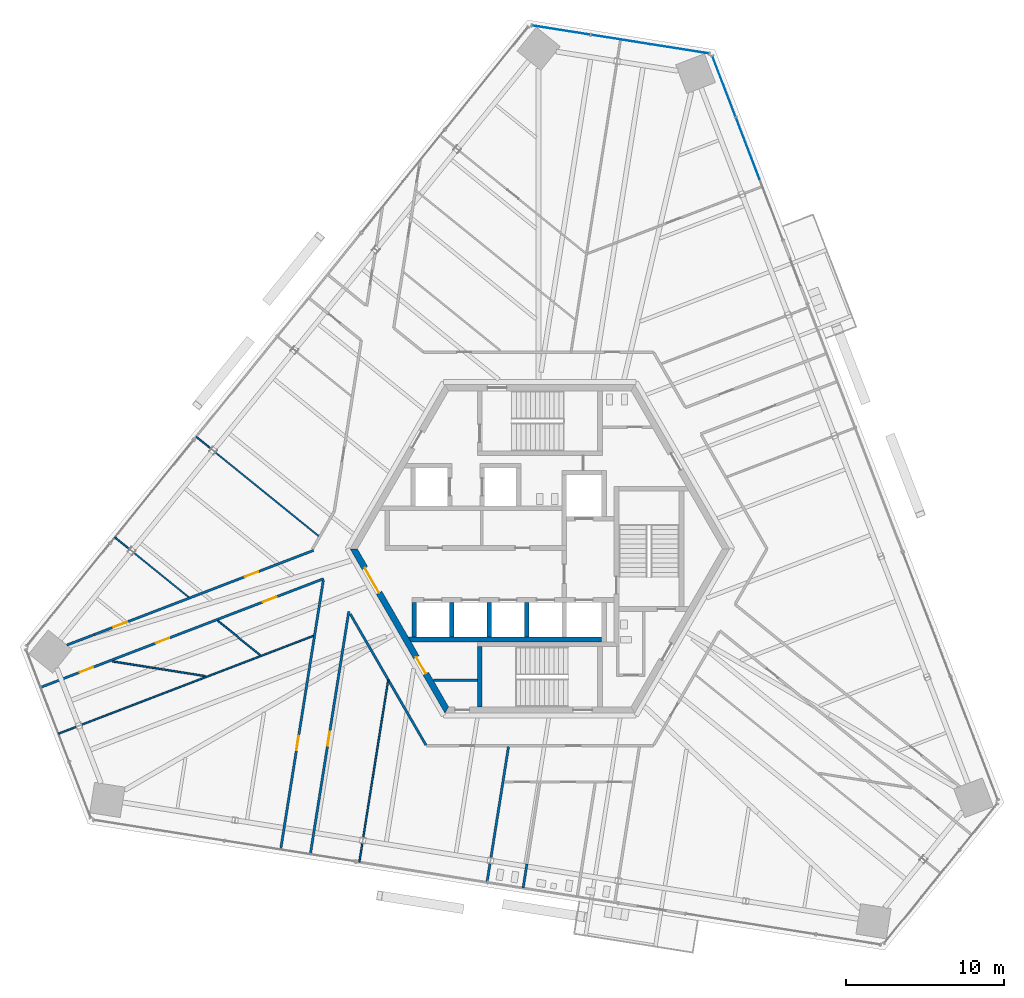
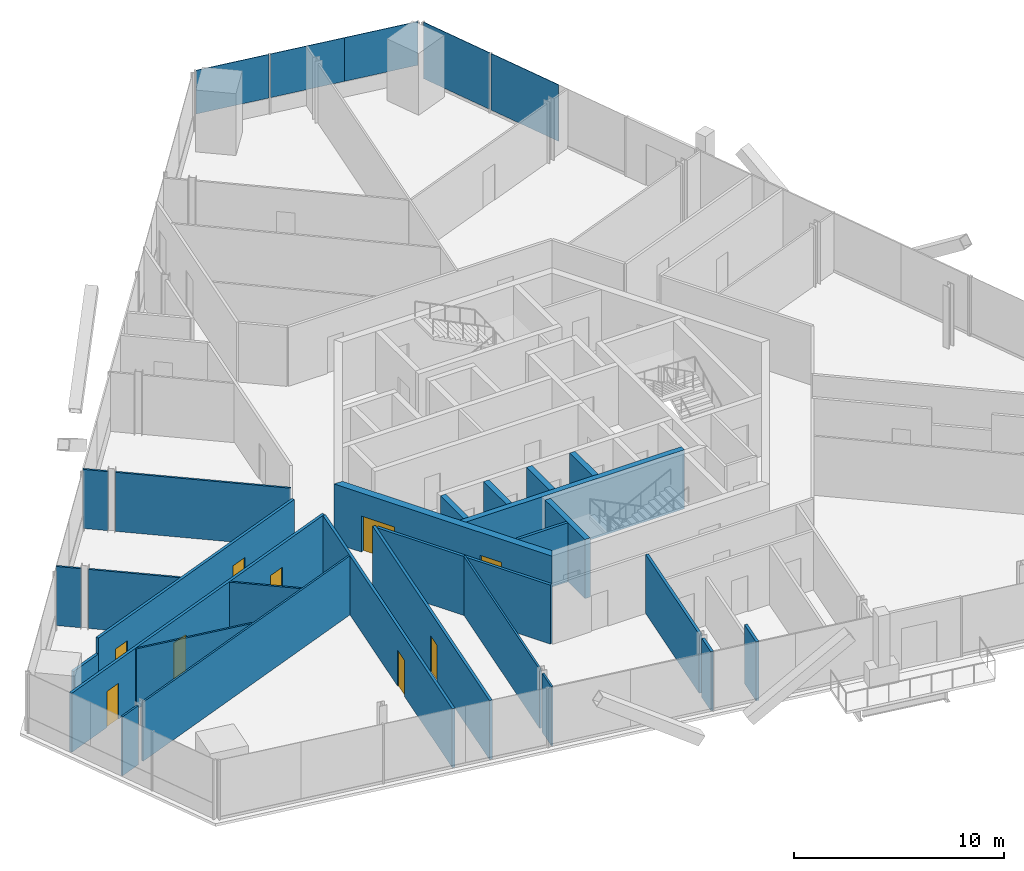
# One storey, part 10 of 18: 27 walls, 9 doors, 5 plates, 9 openings, 2 elements without a shape of their own.
"""IFC4 building model written with IfcOpenShell, lengths in metres."""

from ifc_helpers import new_model, si_unit, direction, frame, frame_2d, origin, origin_2d, place, context, subcontext, project, spatial, polyline, rectangle, outline, extrude, source, transform, mapped, material, layer, layer_set, type_object, element, fill, aggregate, save


model = new_model("IFC4")

# Units and contexts
model_context = context("Model", 3, precision=1e-05, world=origin(), true_north=direction((0.0, 1.0)))
body_context = subcontext(model_context, "Body", "Model", "MODEL_VIEW")
ifc_project = project(units=[si_unit("LENGTHUNIT", "METRE"), si_unit("AREAUNIT", "SQUARE_METRE"), si_unit("VOLUMEUNIT", "CUBIC_METRE"), si_unit("PLANEANGLEUNIT", "RADIAN"), si_unit("MASSUNIT", "GRAM", prefix="KILO")], contexts=[model_context])

# Site, building, storey
site_placement = place(None, origin())
site = spatial("IfcSite", under=ifc_project, at=site_placement, CompositionType="ELEMENT")
building_placement = place(site_placement, origin())
building = spatial("IfcBuilding", under=site, at=building_placement, Name="Triune Harvest Tower", CompositionType="ELEMENT")
storey_placement = place(building_placement, frame((0.0, 0.0, 156.89990234375)))
storey = spatial("IfcBuildingStorey", under=building, at=storey_placement, Name="L40", CompositionType="ELEMENT", Elevation=156.89990234375)

# Curtain wall, plates
ifc_material_1 = material(Name="Aluminium bronze anodised", Category="aluminium")
curtain_wall_type_1 = type_object("IfcCurtainWallType", Name="CW-1 Tower stick curtain wall", PredefinedType="NOTDEFINED", material=ifc_material_1)
curtain_wall_1_placement = place(storey_placement, origin())
curtain_wall_1 = element("IfcCurtainWall", 1, at=curtain_wall_1_placement, inside=storey, type_object=curtain_wall_type_1, Name="CW-1 B4-F2 L40 run 1")
ifc_material_2 = material(Name="Glass", Category="glass")
ifc_layer_1 = layer(ifc_material_2, 0.031982421875)
ifc_layer_set_1 = layer_set([ifc_layer_1], Name="Glass")
plate_type_1 = type_object("IfcPlateType", Name="GL-1 panel 32", PredefinedType="CURTAIN_PANEL", material=ifc_layer_set_1)
shared_shape_1 = source(origin(), body_context, "Body", "SweptSolid", [
    extrude(rectangle(XDim=3.74951171875, YDim=0.031982421875, at=origin_2d()), origin(), (0.0, 0.0, 1.0), 2.5400390625),
])
plate_1_placement = place(storey_placement, frame((8.841552734375, 31.614990234375, 0.900146484375), z_axis=(0.0, 0.0, 1.0), x_axis=(-0.987688615663, 0.156432728322, 0.0)))
plate_1 = element("IfcPlate", 2, at=plate_1_placement, type_object=plate_type_1, Name="CW-1 panel B4-F2 1.1", PredefinedType="CURTAIN_PANEL", context=body_context, shape_type="MappedRepresentation", body=[
    mapped(shared_shape_1, transform((0.0, 0.0, 0.0), scale=1.0)),
])
shared_shape_2 = source(origin(), body_context, "Body", "SweptSolid", [
    extrude(rectangle(XDim=3.787109375, YDim=0.031982421875, at=origin_2d()), origin(), (0.0, 0.0, 1.0), 2.5400390625),
])
plate_2_placement = place(storey_placement, frame((5.11962890625, 32.20458984375, 0.900146484375), z_axis=(0.0, 0.0, 1.0), x_axis=(-0.987688615663, 0.156432728322, 0.0)))
plate_2 = element("IfcPlate", 3, at=plate_2_placement, type_object=plate_type_1, Name="CW-1 panel B4-F2 1.2", PredefinedType="CURTAIN_PANEL", context=body_context, shape_type="MappedRepresentation", body=[
    mapped(shared_shape_2, transform((0.0, 0.0, 0.0), scale=1.0)),
])
shared_shape_3 = source(origin(), body_context, "Body", "SweptSolid", [
    extrude(rectangle(XDim=3.7119140625, YDim=0.031982421875, at=origin_2d()), origin(), (0.0, 0.0, 1.0), 2.5400390625),
])
plate_3_placement = place(storey_placement, frame((1.34228515625, 32.802734375, 0.900146484375), z_axis=(0.0, 0.0, 1.0), x_axis=(-0.987688615663, 0.156432728322, 0.0)))
plate_3 = element("IfcPlate", 4, at=plate_3_placement, type_object=plate_type_1, Name="CW-1 panel B4-F2 1.3", PredefinedType="CURTAIN_PANEL", context=body_context, shape_type="MappedRepresentation", body=[
    mapped(shared_shape_3, transform((0.0, 0.0, 0.0), scale=1.0)),
])
aggregate(curtain_wall_1, [plate_1, plate_2, plate_3])

ifc_material_3 = material(Name="Aluminium bronze anodised", Category="aluminium")
curtain_wall_type_2 = type_object("IfcCurtainWallType", Name="CW-6 Balcony window wall", PredefinedType="NOTDEFINED", material=ifc_material_3)
curtain_wall_2_placement = place(storey_placement, origin())
curtain_wall_2 = element("IfcCurtainWall", 5, at=curtain_wall_2_placement, inside=storey, type_object=curtain_wall_type_2, Name="CW-6 B4-F1 L40 run 2")
ifc_material_4 = material(Name="Glass", Category="glass")
ifc_layer_2 = layer(ifc_material_4, 0.030029296875)
ifc_layer_set_2 = layer_set([ifc_layer_2], Name="Glass")
plate_type_2 = type_object("IfcPlateType", Name="GL-6 panel 30", PredefinedType="CURTAIN_PANEL", material=ifc_layer_set_2)
shared_shape_4 = source(origin(), body_context, "Body", "SweptSolid", [
    extrude(rectangle(XDim=4.153564453125, YDim=0.030029296875, at=origin_2d()), origin(), (0.0, 0.0, 1.0), 3.2900390625),
])
plate_4_placement = place(storey_placement, frame((13.148193359375, 25.325439453125, 0.150146484375), z_axis=(0.0, 0.0, 1.0), x_axis=(-0.35836927228, 0.933579918746, 0.0)))
plate_4 = element("IfcPlate", 6, at=plate_4_placement, type_object=plate_type_2, Name="CW-6 panel B4-F1 2.2", PredefinedType="CURTAIN_PANEL", context=body_context, shape_type="MappedRepresentation", body=[
    mapped(shared_shape_4, transform((0.0, 0.0, 0.0), scale=1.0)),
])
shared_shape_5 = source(origin(), body_context, "Body", "SweptSolid", [
    extrude(rectangle(XDim=4.07861328125, YDim=0.030029296875, at=origin_2d()), origin(), (0.0, 0.0, 1.0), 3.2900390625),
])
plate_5_placement = place(storey_placement, frame((11.646240234375, 29.238037109375, 0.150146484375), z_axis=(0.0, 0.0, 1.0), x_axis=(-0.35836927228, 0.933579918746, 0.0)))
plate_5 = element("IfcPlate", 7, at=plate_5_placement, type_object=plate_type_2, Name="CW-6 panel B4-F1 2.3", PredefinedType="CURTAIN_PANEL", context=body_context, shape_type="MappedRepresentation", body=[
    mapped(shared_shape_5, transform((0.0, 0.0, 0.0), scale=1.0)),
])
aggregate(curtain_wall_2, [plate_4, plate_5])

# Wall
ifc_material_5 = material(Name="Gypsum board on steel studs", Category="steel")
ifc_layer_3 = layer(ifc_material_5, 0.14990234375)
ifc_layer_set_3 = layer_set([ifc_layer_3], Name="Gypsum board on steel studs")
wall_type_1 = type_object("IfcWallType", Name="Fire Partition 150 mm", PredefinedType="PARTITIONING", material=ifc_layer_set_3)
wall_1_placement = place(storey_placement, frame((-11.990966796875, -4.115966796875, 0.0), z_axis=(0.0, 0.0, 1.0), x_axis=(0.500008659558, -0.866020404129, 0.0)))
element("IfcWall", 8, at=wall_1_placement, inside=storey, type_object=wall_type_1, Name="Partition L40 001", PredefinedType="PARTITIONING", context=body_context, shape_type="SweptSolid", body=[
    extrude(rectangle(XDim=9.574462890625, YDim=0.14990234375, at=frame_2d((4.787109375, 0.0))), origin(), (0.0, 0.0, 1.0), 3.440185546875),
])

# Wall, openings, doors
wall_2_placement = place(storey_placement, frame((-31.5673828125, -8.757080078125, 0.0), z_axis=(0.0, 0.0, 1.0), x_axis=(0.933575909934, 0.358379715374, 0.0)))
wall_2 = element("IfcWall", 9, at=wall_2_placement, inside=storey, type_object=wall_type_1, Name="Partition L40 031", PredefinedType="PARTITIONING", context=body_context, shape_type="SweptSolid", body=[
    extrude(rectangle(XDim=19.163818359375, YDim=0.14990234375, at=frame_2d((9.58203125, 0.0))), origin(), (0.0, 0.0, 1.0), 3.440185546875),
])
opening_1_placement = place(wall_2_placement, frame((15.068115234375, 0.0, 0.0)))
opening_1 = element("IfcOpeningElement", 10, at=opening_1_placement, cuts=wall_2, Name="Opening L40-015", PredefinedType="OPENING", context=body_context, shape_type="SweptSolid", body=[
    extrude(rectangle(XDim=0.89990234375, YDim=2.10009765625, at=frame_2d((0.449951171875, 1.050048828125))), frame((0.0, 0.0849609375, 0.0), z_axis=(0.0, -1.0, 0.0), x_axis=(1.0, 0.0, 0.0)), (0.0, 0.0, 1.0), 0.169921875),
])
opening_2_placement = place(wall_2_placement, frame((7.80810546875, 0.0, 0.0)))
opening_2 = element("IfcOpeningElement", 11, at=opening_2_placement, cuts=wall_2, Name="Opening L40-017", PredefinedType="OPENING", context=body_context, shape_type="SweptSolid", body=[
    extrude(rectangle(XDim=0.89990234375, YDim=2.10009765625, at=frame_2d((0.449951171875, 1.050048828125))), frame((0.0, 0.0849609375, 0.0), z_axis=(0.0, -1.0, 0.0), x_axis=(1.0, 0.0, 0.0)), (0.0, 0.0, 1.0), 0.169921875),
])
opening_3_placement = place(wall_2_placement, frame((2.64990234375, 0.0, 0.0)))
opening_3 = element("IfcOpeningElement", 12, at=opening_3_placement, cuts=wall_2, Name="Opening L40-018", PredefinedType="OPENING", context=body_context, shape_type="SweptSolid", body=[
    extrude(rectangle(XDim=0.89990234375, YDim=2.10009765625, at=frame_2d((0.449951171875, 1.050048828125))), frame((0.0, 0.0849609375, 0.0), z_axis=(0.0, -1.0, 0.0), x_axis=(1.0, 0.0, 0.0)), (0.0, 0.0, 1.0), 0.169921875),
])
ifc_material_6 = material(Name="Timber and steel door set", Category="steel")
door_type_1 = type_object("IfcDoorType", Name="Single leaf door FD30 left hand 900 x 2100", OperationType="SINGLE_SWING_LEFT", PredefinedType="DOOR", material=ifc_material_6)
door_1_placement = place(opening_1_placement, origin())
door_1 = element("IfcDoor", 13, at=door_1_placement, inside=storey, type_object=door_type_1, Name="Door L40-015 Meeting Room 40.15", OperationType="SINGLE_SWING_LEFT", OverallHeight=2.10009765625, OverallWidth=0.89990234375, PredefinedType="DOOR", context=body_context, shape_type="SweptSolid", body=[
    extrude(rectangle(XDim=0.89990234375, YDim=2.10009765625, at=frame_2d((0.449951171875, 1.050048828125))), frame((0.0, 0.02490234375, 0.0), z_axis=(0.0, -1.0, 0.0), x_axis=(1.0, 0.0, 0.0)), (0.0, 0.0, 1.0), 0.050048828125),
])
fill(opening_1, door_1)
ifc_material_7 = material(Name="Timber and steel door set", Category="steel")
door_type_2 = type_object("IfcDoorType", Name="Single leaf door FD30 right hand 900 x 2100", OperationType="SINGLE_SWING_RIGHT", PredefinedType="DOOR", material=ifc_material_7)
door_2_placement = place(opening_2_placement, origin())
door_2 = element("IfcDoor", 14, at=door_2_placement, inside=storey, type_object=door_type_2, Name="Door L40-017 Open Office 40.17", OperationType="SINGLE_SWING_RIGHT", OverallHeight=2.10009765625, OverallWidth=0.89990234375, PredefinedType="DOOR", context=body_context, shape_type="SweptSolid", body=[
    extrude(rectangle(XDim=0.89990234375, YDim=2.10009765625, at=frame_2d((0.449951171875, 1.050048828125))), frame((0.0, 0.02490234375, 0.0), z_axis=(0.0, -1.0, 0.0), x_axis=(1.0, 0.0, 0.0)), (0.0, 0.0, 1.0), 0.050048828125),
])
fill(opening_2, door_2)
door_3_placement = place(opening_3_placement, origin())
door_3 = element("IfcDoor", 15, at=door_3_placement, inside=storey, type_object=door_type_2, Name="Door L40-018 Reception 40.18", OperationType="SINGLE_SWING_RIGHT", OverallHeight=2.10009765625, OverallWidth=0.89990234375, PredefinedType="DOOR", context=body_context, shape_type="SweptSolid", body=[
    extrude(rectangle(XDim=0.89990234375, YDim=2.10009765625, at=frame_2d((0.449951171875, 1.050048828125))), frame((0.0, 0.02490234375, 0.0), z_axis=(0.0, -1.0, 0.0), x_axis=(1.0, 0.0, 0.0)), (0.0, 0.0, 1.0), 0.050048828125),
])
fill(opening_3, door_3)

wall_3_placement = place(storey_placement, frame((-28.169677734375, -5.41748046875, 0.0), z_axis=(0.0, 0.0, 1.0), x_axis=(0.933577267121, 0.358376179893, 0.0)))
wall_3 = element("IfcWall", 16, at=wall_3_placement, inside=storey, type_object=wall_type_1, Name="Partition L40 033a", PredefinedType="PARTITIONING", context=body_context, shape_type="SweptSolid", body=[
    extrude(rectangle(XDim=14.844970703125, YDim=0.14990234375, at=frame_2d((7.42236328125, 0.0))), origin(), (0.0, 0.0, 1.0), 3.440185546875),
])
opening_4_placement = place(wall_3_placement, frame((10.19482421875, 0.0, 0.0)))
opening_4 = element("IfcOpeningElement", 17, at=opening_4_placement, cuts=wall_3, Name="Opening L40-014", PredefinedType="OPENING", context=body_context, shape_type="SweptSolid", body=[
    extrude(rectangle(XDim=0.89990234375, YDim=2.10009765625, at=frame_2d((0.449951171875, 1.050048828125))), frame((0.0, 0.0849609375, 0.0), z_axis=(0.0, -1.0, 0.0), x_axis=(1.0, 0.0, 0.0)), (0.0, 0.0, 1.0), 0.169921875),
])
opening_5_placement = place(wall_3_placement, frame((1.302490234375, 0.0, 0.0)))
opening_5 = element("IfcOpeningElement", 18, at=opening_5_placement, cuts=wall_3, Name="Opening L40-016", PredefinedType="OPENING", context=body_context, shape_type="SweptSolid", body=[
    extrude(rectangle(XDim=0.89990234375, YDim=2.10009765625, at=frame_2d((0.449951171875, 1.050048828125))), frame((0.0, 0.0849609375, 0.0), z_axis=(0.0, -1.0, 0.0), x_axis=(1.0, 0.0, 0.0)), (0.0, 0.0, 1.0), 0.169921875),
])
door_4_placement = place(opening_5_placement, origin())
door_4 = element("IfcDoor", 19, at=door_4_placement, inside=storey, type_object=door_type_1, Name="Door L40-016 Open Office 40.16", OperationType="SINGLE_SWING_LEFT", OverallHeight=2.10009765625, OverallWidth=0.89990234375, PredefinedType="DOOR", context=body_context, shape_type="SweptSolid", body=[
    extrude(rectangle(XDim=0.89990234375, YDim=2.10009765625, at=frame_2d((0.449951171875, 1.050048828125))), frame((0.0, 0.02490234375, 0.0), z_axis=(0.0, -1.0, 0.0), x_axis=(1.0, 0.0, 0.0)), (0.0, 0.0, 1.0), 0.050048828125),
])
fill(opening_5, door_4)
door_5_placement = place(opening_4_placement, origin())
door_5 = element("IfcDoor", 20, at=door_5_placement, inside=storey, type_object=door_type_2, Name="Door L40-014 Project Room 40.14", OperationType="SINGLE_SWING_RIGHT", OverallHeight=2.10009765625, OverallWidth=0.89990234375, PredefinedType="DOOR", context=body_context, shape_type="SweptSolid", body=[
    extrude(rectangle(XDim=0.89990234375, YDim=2.10009765625, at=frame_2d((0.449951171875, 1.050048828125))), frame((0.0, 0.02490234375, 0.0), z_axis=(0.0, -1.0, 0.0), x_axis=(1.0, 0.0, 0.0)), (0.0, 0.0, 1.0), 0.050048828125),
])
fill(opening_4, door_5)

# Walls
wall_4_placement = place(storey_placement, frame((-1.058349609375, -21.44921875, 0.0), z_axis=(0.0, 0.0, 1.0), x_axis=(0.156353026415, 0.987701235765, 0.0)))
element("IfcWall", 21, at=wall_4_placement, inside=storey, type_object=wall_type_1, Name="Partition L40 045", PredefinedType="PARTITIONING", context=body_context, shape_type="SweptSolid", body=[
    extrude(rectangle(XDim=1.541259765625, YDim=0.14990234375, at=frame_2d((0.7705078125, 0.0))), origin(), (0.0, 0.0, 1.0), 3.440185546875),
])
wall_5_placement = place(storey_placement, frame((-3.094970703125, -19.54150390625, 0.0), z_axis=(0.0, 0.0, 1.0), x_axis=(0.156411712605, 0.987691943958, 0.0)))
element("IfcWall", 22, at=wall_5_placement, inside=storey, type_object=wall_type_1, Name="Partition L40 047", PredefinedType="PARTITIONING", context=body_context, shape_type="SweptSolid", body=[
    extrude(rectangle(XDim=7.11767578125, YDim=0.14990234375, at=frame_2d((3.558837890625, 0.0))), origin(), (0.0, 0.0, 1.0), 3.440185546875),
])

# Wall, opening, door
wall_6_placement = place(storey_placement, frame((-14.513671875, -19.31787109375, 0.0), z_axis=(0.0, 0.0, 1.0), x_axis=(0.156442276655, 0.987687103325, 0.0)))
wall_6 = element("IfcWall", 23, at=wall_6_placement, inside=storey, type_object=wall_type_1, Name="Partition L40 052", PredefinedType="PARTITIONING", context=body_context, shape_type="SweptSolid", body=[
    extrude(rectangle(XDim=15.549560546875, YDim=0.14990234375, at=frame_2d((7.77490234375, 0.0))), origin(), (0.0, 0.0, 1.0), 3.440185546875),
])
opening_6_placement = place(wall_6_placement, frame((6.949951171875, 0.0, 0.0)))
opening_6 = element("IfcOpeningElement", 24, at=opening_6_placement, cuts=wall_6, Name="Opening L40-020", PredefinedType="OPENING", context=body_context, shape_type="SweptSolid", body=[
    extrude(rectangle(XDim=0.89990234375, YDim=2.10009765625, at=frame_2d((0.449951171875, 1.050048828125))), frame((0.0, 0.0849609375, 0.0), z_axis=(0.0, -1.0, 0.0), x_axis=(1.0, 0.0, 0.0)), (0.0, 0.0, 1.0), 0.169921875),
])
door_6_placement = place(opening_6_placement, origin())
door_6 = element("IfcDoor", 25, at=door_6_placement, inside=storey, type_object=door_type_2, Name="Door L40-020 Meeting Room 40.20", OperationType="SINGLE_SWING_RIGHT", OverallHeight=2.10009765625, OverallWidth=0.89990234375, PredefinedType="DOOR", context=body_context, shape_type="SweptSolid", body=[
    extrude(rectangle(XDim=0.89990234375, YDim=2.10009765625, at=frame_2d((0.449951171875, 1.050048828125))), frame((0.0, 0.02490234375, 0.0), z_axis=(0.0, -1.0, 0.0), x_axis=(1.0, 0.0, 0.0)), (0.0, 0.0, 1.0), 0.050048828125),
])
fill(opening_6, door_6)

wall_7_placement = place(storey_placement, frame((-16.389892578125, -19.020751953125, 0.0), z_axis=(0.0, 0.0, 1.0), x_axis=(0.156441187986, 0.987687275762, 0.0)))
wall_7 = element("IfcWall", 26, at=wall_7_placement, inside=storey, type_object=wall_type_1, Name="Partition L40 054", PredefinedType="PARTITIONING", context=body_context, shape_type="SweptSolid", body=[
    extrude(rectangle(XDim=17.235107421875, YDim=0.14990234375, at=frame_2d((8.61767578125, 0.0))), origin(), (0.0, 0.0, 1.0), 3.440185546875),
])
opening_7_placement = place(wall_7_placement, frame((6.372314453125, 0.0, 0.0)))
opening_7 = element("IfcOpeningElement", 27, at=opening_7_placement, cuts=wall_7, Name="Opening L40-019", PredefinedType="OPENING", context=body_context, shape_type="SweptSolid", body=[
    extrude(rectangle(XDim=0.89990234375, YDim=2.10009765625, at=frame_2d((0.449951171875, 1.050048828125))), frame((0.0, 0.0849609375, 0.0), z_axis=(0.0, -1.0, 0.0), x_axis=(1.0, 0.0, 0.0)), (0.0, 0.0, 1.0), 0.169921875),
])
door_7_placement = place(opening_7_placement, origin())
door_7 = element("IfcDoor", 28, at=door_7_placement, inside=storey, type_object=door_type_1, Name="Door L40-019 Office 40.19", OperationType="SINGLE_SWING_LEFT", OverallHeight=2.10009765625, OverallWidth=0.89990234375, PredefinedType="DOOR", context=body_context, shape_type="SweptSolid", body=[
    extrude(rectangle(XDim=0.89990234375, YDim=2.10009765625, at=frame_2d((0.449951171875, 1.050048828125))), frame((0.0, 0.02490234375, 0.0), z_axis=(0.0, -1.0, 0.0), x_axis=(1.0, 0.0, 0.0)), (0.0, 0.0, 1.0), 0.050048828125),
])
fill(opening_7, door_7)

# Walls
ifc_material_8 = material(Name="Gypsum board on steel studs", Category="steel")
ifc_layer_4 = layer(ifc_material_8, 0.10009765625)
ifc_layer_set_4 = layer_set([ifc_layer_4], Name="Gypsum board on steel studs")
wall_type_2 = type_object("IfcWallType", Name="Partition 100 mm", PredefinedType="PARTITIONING", material=ifc_layer_set_4)
wall_8_placement = place(storey_placement, frame((-25.665283203125, -0.255126953125, 0.0), z_axis=(0.0, 0.0, 1.0), x_axis=(0.777157760335, -0.629305820369, 0.0)))
element("IfcWall", 29, at=wall_8_placement, inside=storey, type_object=wall_type_2, Name="Partition L40 005", PredefinedType="PARTITIONING", context=body_context, shape_type="SweptSolid", body=[
    extrude(rectangle(XDim=4.4384765625, YDim=0.10009765625, at=frame_2d((2.21923828125, 0.0))), origin(), (0.0, 0.0, 1.0), 3.440185546875),
])
wall_9_placement = place(storey_placement, frame((-20.370849609375, -4.54248046875, 0.0), z_axis=(0.0, 0.0, 1.0), x_axis=(0.777154560916, -0.629309771454, 0.0)))
element("IfcWall", 30, at=wall_9_placement, inside=storey, type_object=wall_type_2, Name="Partition L40 006", PredefinedType="PARTITIONING", context=body_context, shape_type="SweptSolid", body=[
    extrude(rectangle(XDim=3.462890625, YDim=0.10009765625, at=frame_2d((1.7314453125, 0.0))), origin(), (0.0, 0.0, 1.0), 3.440185546875),
])
wall_10_placement = place(storey_placement, frame((-27.021240234375, -7.118896484375, 0.0), z_axis=(0.0, 0.0, 1.0), x_axis=(0.987691364752, -0.156415370071, 0.0)))
element("IfcWall", 31, at=wall_10_placement, inside=storey, type_object=wall_type_2, Name="Partition L40 022", PredefinedType="PARTITIONING", context=body_context, shape_type="SweptSolid", body=[
    extrude(rectangle(XDim=5.925048828125, YDim=0.10009765625, at=frame_2d((2.96240234375, 0.0))), origin(), (0.0, 0.0, 1.0), 3.440185546875),
])
wall_11_placement = place(storey_placement, frame((-28.981689453125, -11.125, 0.0), z_axis=(0.0, 0.0, 1.0), x_axis=(0.933582709301, 0.358362002582, 0.0)))
element("IfcWall", 32, at=wall_11_placement, inside=storey, type_object=wall_type_2, Name="Partition L40 028", PredefinedType="PARTITIONING", context=body_context, shape_type="SweptSolid", body=[
    extrude(rectangle(XDim=15.697021484375, YDim=0.10009765625, at=frame_2d((7.8486328125, 0.0))), origin(), (0.0, 0.0, 1.0), 3.440185546875),
])
wall_12_placement = place(storey_placement, frame((-11.16943359375, -18.2626953125, 0.0), z_axis=(0.0, 0.0, 1.0), x_axis=(0.156439995977, 0.987687464565, 0.0)))
element("IfcWall", 33, at=wall_12_placement, inside=storey, type_object=wall_type_2, Name="Partition L40 051", PredefinedType="PARTITIONING", context=body_context, shape_type="SweptSolid", body=[
    extrude(rectangle(XDim=10.109619140625, YDim=0.10009765625, at=frame_2d((5.0546875, 0.0))), origin(), (0.0, 0.0, 1.0), 3.440185546875),
])

# Wall, openings, doors
ifc_material_9 = material(Name="Concrete 70 MPa", Category="concrete")
ifc_layer_5 = layer(ifc_material_9, 0.39990234375)
ifc_layer_set_5 = layer_set([ifc_layer_5], Name="Concrete 70 MPa")
wall_type_3 = type_object("IfcWallType", Name="Core wall 400", PredefinedType="SHEAR", material=ifc_layer_set_5)
shared_shape_6 = source(origin(), body_context, "Body", "SweptSolid", [
    extrude(outline(polyline([(-0.115478515625, -0.199951171875), (11.884521484375, -0.199951171875), (11.653564453125, 0.199951171875), (0.115478515625, 0.199951171875), (-0.115478515625, -0.199951171875)])), origin(), (0.0, 0.0, 1.0), 3.440185546875),
])
wall_13_placement = place(storey_placement, frame((-11.76904296875, 0.0, 0.0), z_axis=(0.0, 0.0, 1.0), x_axis=(0.499996592174, -0.866027371285, 0.0)))
wall_13 = element("IfcWall", 34, at=wall_13_placement, inside=storey, type_object=wall_type_3, Name="Hexagon 3 wall", PredefinedType="SHEAR", context=body_context, shape_type="MappedRepresentation", body=[
    mapped(shared_shape_6, transform((0.0, 0.0, 0.0), scale=1.0)),
])
opening_8_placement = place(wall_13_placement, frame((1.404541015625, 0.0, 0.0)))
opening_8 = element("IfcOpeningElement", 35, at=opening_8_placement, cuts=wall_13, Name="Opening CD-LS", PredefinedType="OPENING", context=body_context, shape_type="SweptSolid", body=[
    extrude(rectangle(XDim=1.800048828125, YDim=2.10009765625, at=frame_2d((0.89990234375, 1.050048828125))), frame((0.0, 0.2099609375, 0.0), z_axis=(0.0, -1.0, 0.0), x_axis=(1.0, 0.0, 0.0)), (0.0, 0.0, 1.0), 0.419921875),
])
opening_9_placement = place(wall_13_placement, frame((7.91455078125, 0.0, 0.0)))
opening_9 = element("IfcOpeningElement", 36, at=opening_9_placement, cuts=wall_13, Name="Opening CD-SWP", PredefinedType="OPENING", context=body_context, shape_type="SweptSolid", body=[
    extrude(rectangle(XDim=1.199951171875, YDim=2.10009765625, at=frame_2d((0.60009765625, 1.050048828125))), frame((0.0, 0.2099609375, 0.0), z_axis=(0.0, -1.0, 0.0), x_axis=(1.0, 0.0, 0.0)), (0.0, 0.0, 1.0), 0.419921875),
])
ifc_material_10 = material(Name="Steel S235", Category="steel")
door_type_3 = type_object("IfcDoorType", Name="Lobby door 1800 FD120", OperationType="DOUBLE_DOOR_DOUBLE_SWING", PredefinedType="DOOR", material=ifc_material_10)
door_8_placement = place(opening_8_placement, frame((1.800048828125, 0.0, 0.0), z_axis=(0.0, 0.0, 1.0), x_axis=(-1.0, 0.0, 0.0)))
door_8 = element("IfcDoor", 37, at=door_8_placement, inside=storey, type_object=door_type_3, Name="Door CD-LS", OperationType="DOUBLE_DOOR_DOUBLE_SWING", OverallHeight=2.10009765625, OverallWidth=1.800048828125, PredefinedType="DOOR", context=body_context, shape_type="SweptSolid", body=[
    extrude(rectangle(XDim=1.800048828125, YDim=2.10009765625, at=frame_2d((0.89990234375, 1.050048828125))), frame((0.0, 0.02490234375, 0.0), z_axis=(0.0, -1.0, 0.0), x_axis=(1.0, 0.0, 0.0)), (0.0, 0.0, 1.0), 0.050048828125),
])
fill(opening_8, door_8)
ifc_material_11 = material(Name="Steel S235", Category="steel")
door_type_4 = type_object("IfcDoorType", Name="Service door 1200 FD120", OperationType="SINGLE_SWING_LEFT", PredefinedType="DOOR", material=ifc_material_11)
door_9_placement = place(opening_9_placement, frame((1.199951171875, 0.0, 0.0), z_axis=(0.0, 0.0, 1.0), x_axis=(-1.0, 0.0, 0.0)))
door_9 = element("IfcDoor", 38, at=door_9_placement, inside=storey, type_object=door_type_4, Name="Door CD-SWP", OperationType="SINGLE_SWING_RIGHT", OverallHeight=2.10009765625, OverallWidth=1.199951171875, PredefinedType="DOOR", context=body_context, shape_type="SweptSolid", body=[
    extrude(rectangle(XDim=1.199951171875, YDim=2.10009765625, at=frame_2d((0.60009765625, 1.050048828125))), frame((0.0, 0.02490234375, 0.0), z_axis=(0.0, -1.0, 0.0), x_axis=(1.0, 0.0, 0.0)), (0.0, 0.0, 1.0), 0.050048828125),
])
fill(opening_9, door_9)

# Walls
ifc_material_12 = material(Name="Concrete 70 MPa", Category="concrete")
ifc_layer_6 = layer(ifc_material_12, 0.300048828125)
ifc_layer_set_6 = layer_set([ifc_layer_6], Name="Concrete 70 MPa")
wall_type_4 = type_object("IfcWallType", Name="Core wall 300", PredefinedType="SHEAR", material=ifc_layer_set_6)
shared_shape_7 = source(origin(), body_context, "Body", "SweptSolid", [
    extrude(outline(polyline([(12.0, -0.14990234375), (-0.039794921875, -0.14990234375), (-0.212890625, 0.14990234375), (12.0, 0.14990234375), (12.0, -0.14990234375)])), origin(), (0.0, 0.0, 1.0), 3.440185546875),
])
wall_14_placement = place(storey_placement, frame((-8.10009765625, -5.739990234375, 0.0), z_axis=(0.0, 0.0, 1.0), x_axis=(1.0, 0.0, 0.0)))
element("IfcWall", 39, at=wall_14_placement, inside=storey, type_object=wall_type_4, Name="South back wall", PredefinedType="SHEAR", context=body_context, shape_type="MappedRepresentation", body=[
    mapped(shared_shape_7, transform((0.0, 0.0, 0.0), scale=1.0)),
])
shared_shape_8 = source(origin(), body_context, "Body", "SweptSolid", [
    extrude(rectangle(XDim=2.2001953125, YDim=0.300048828125, at=frame_2d((1.10009765625, 0.0))), origin(), (0.0, 0.0, 1.0), 3.440185546875),
])
for number, where, z_axis, x_axis, name in (
    (40, (-7.949951171875, -5.590087890625, 0.0), (0.0, 0.0, 1.0), (0.0, 1.0, 0.0), "South end west wall"),
    (41, (-5.574951171875, -5.590087890625, 0.0), (0.0, 0.0, 1.0), (0.0, 1.0, 0.0), "South cross 1 wall"),
    (42, (-3.199951171875, -5.590087890625, 0.0), (0.0, 0.0, 1.0), (0.0, 1.0, 0.0), "South cross 2 wall"),
    (43, (-0.824951171875, -5.590087890625, 0.0), (0.0, 0.0, 1.0), (0.0, 1.0, 0.0), "South cross 3 wall"),
):
    element("IfcWall", number, at=place(storey_placement, frame(where, z_axis=z_axis, x_axis=x_axis)), inside=storey, type_object=wall_type_4, Name=name, PredefinedType="SHEAR", context=body_context, shape_type="MappedRepresentation", body=[
        mapped(shared_shape_8, transform((0.0, 0.0, 0.0), scale=1.0)),
    ])
shared_shape_9 = source(origin(), body_context, "Body", "SweptSolid", [
    extrude(outline(polyline([(3.800048828125, -0.14990234375), (-0.00439453125, -0.14990234375), (-0.00439453125, 0.14990234375), (3.800048828125, 0.14990234375), (3.800048828125, -0.14990234375)])), origin(), (0.0, 0.0, 1.0), 3.440185546875),
])
wall_15_placement = place(storey_placement, frame((-3.800048828125, -9.989990234375, 0.0), z_axis=(0.0, 0.0, 1.0), x_axis=(0.0, 1.0, 0.0)))
element("IfcWall", 44, at=wall_15_placement, inside=storey, type_object=wall_type_4, Name="Stair s west wall", PredefinedType="SHEAR", context=body_context, shape_type="MappedRepresentation", body=[
    mapped(shared_shape_9, transform((0.0, 0.0, 0.0), scale=1.0)),
])
ifc_material_13 = material(Name="Concrete masonry unit", Category="masonry")
ifc_layer_7 = layer(ifc_material_13, 0.14990234375)
ifc_layer_set_7 = layer_set([ifc_layer_7], Name="Concrete masonry unit")
wall_type_5 = type_object("IfcWallType", Name="Block partition 150", PredefinedType="PARTITIONING", material=ifc_layer_set_7)
shared_shape_10 = source(origin(), body_context, "Body", "SweptSolid", [
    extrude(rectangle(XDim=2.777099609375, YDim=0.14990234375, at=frame_2d((1.388671875, 0.0))), origin(), (0.0, 0.0, 1.0), 3.440185546875),
])
wall_16_placement = place(storey_placement, frame((-6.72705078125, -8.300048828125, 0.0), z_axis=(0.0, 0.0, 1.0), x_axis=(1.0, 0.0, 0.0)))
element("IfcWall", 45, at=wall_16_placement, inside=storey, type_object=wall_type_5, Name="Sw part wall", PredefinedType="PARTITIONING", context=body_context, shape_type="MappedRepresentation", body=[
    mapped(shared_shape_10, transform((0.0, 0.0, 0.0), scale=1.0)),
])
shared_shape_11 = source(origin(), body_context, "Body", "SweptSolid", [
    extrude(rectangle(XDim=1.873046875, YDim=0.14990234375, at=frame_2d((0.9365234375, 0.0))), origin(), (0.0, 0.0, 1.0), 2.51806640625),
])
wall_17_placement = place(storey_placement, frame((-29.91845703125, -6.088623046875, 0.0), z_axis=(0.0, 0.0, 1.0), x_axis=(0.933607376229, 0.358297735202, 0.0)))
element("IfcWall", 46, at=wall_17_placement, inside=storey, type_object=wall_type_1, Name="Partition L40 033", PredefinedType="PARTITIONING", context=body_context, shape_type="MappedRepresentation", body=[
    mapped(shared_shape_11, transform((0.0, 0.0, 0.0), scale=1.0)),
])
shared_shape_12 = source(origin(), body_context, "Body", "SweptSolid", [
    extrude(rectangle(XDim=1.21240234375, YDim=0.10009765625, at=frame_2d((0.606201171875, 0.0))), origin(), (0.0, 0.0, 1.0), 3.440185546875),
])
wall_18_placement = place(storey_placement, frame((-26.882080078125, 0.730224609375, 0.0), z_axis=(0.0, 0.0, 1.0), x_axis=(0.777141685331, -0.629325671589, 0.0)))
element("IfcWall", 47, at=wall_18_placement, inside=storey, type_object=wall_type_2, Name="Partition L40 004", PredefinedType="PARTITIONING", context=body_context, shape_type="MappedRepresentation", body=[
    mapped(shared_shape_12, transform((0.0, 0.0, 0.0), scale=1.0)),
])
shared_shape_13 = source(origin(), body_context, "Body", "SweptSolid", [
    extrude(rectangle(XDim=1.212158203125, YDim=0.10009765625, at=frame_2d((0.60595703125, 0.0))), origin(), (0.0, 0.0, 1.0), 3.440185546875),
])
for number, where, z_axis, x_axis, name in (
    (48, (-21.7373046875, 7.083251953125, 0.0), (0.0, 0.0, 1.0), (0.777061908225, -0.629424173977, 0.0), "Partition L40 007"),
    (49, (-30.443115234375, -11.68603515625, 0.0), (0.0, 0.0, 1.0), (0.933594564159, 0.358331117506, 0.0), "Partition L40 027"),
):
    element("IfcWall", number, at=place(storey_placement, frame(where, z_axis=z_axis, x_axis=x_axis)), inside=storey, type_object=wall_type_2, Name=name, PredefinedType="PARTITIONING", context=body_context, shape_type="MappedRepresentation", body=[
        mapped(shared_shape_13, transform((0.0, 0.0, 0.0), scale=1.0)),
    ])
shared_shape_14 = source(origin(), body_context, "Body", "SweptSolid", [
    extrude(rectangle(XDim=8.482666015625, YDim=0.10009765625, at=frame_2d((4.2412109375, 0.0))), origin(), (0.0, 0.0, 1.0), 3.440185546875),
])
wall_19_placement = place(storey_placement, frame((-20.520751953125, 6.097900390625, 0.0), z_axis=(0.0, 0.0, 1.0), x_axis=(0.777157059965, -0.629306685287, 0.0)))
element("IfcWall", 50, at=wall_19_placement, inside=storey, type_object=wall_type_2, Name="Partition L40 008", PredefinedType="PARTITIONING", context=body_context, shape_type="MappedRepresentation", body=[
    mapped(shared_shape_14, transform((0.0, 0.0, 0.0), scale=1.0)),
])
shared_shape_15 = source(origin(), body_context, "Body", "SweptSolid", [
    extrude(rectangle(XDim=1.2119140625, YDim=0.10009765625, at=frame_2d((0.60595703125, 0.0))), origin(), (0.0, 0.0, 1.0), 3.440185546875),
])
wall_20_placement = place(storey_placement, frame((-11.414306640625, -19.808837890625, 0.0), z_axis=(0.0, 0.0, 1.0), x_axis=(0.15652114429, 0.987674608052, 0.0)))
element("IfcWall", 51, at=wall_20_placement, inside=storey, type_object=wall_type_2, Name="Partition L40 050", PredefinedType="PARTITIONING", context=body_context, shape_type="MappedRepresentation", body=[
    mapped(shared_shape_15, transform((0.0, 0.0, 0.0), scale=1.0)),
])
shared_shape_16 = source(origin(), body_context, "Body", "SweptSolid", [
    extrude(rectangle(XDim=1.212158203125, YDim=0.14990234375, at=frame_2d((0.60595703125, 0.0))), origin(), (0.0, 0.0, 1.0), 3.440185546875),
])
wall_21_placement = place(storey_placement, frame((-3.33984375, -21.087890625, 0.0), z_axis=(0.0, 0.0, 1.0), x_axis=(0.156293529004, 0.987710652363, 0.0)))
element("IfcWall", 52, at=wall_21_placement, inside=storey, type_object=wall_type_1, Name="Partition L40 046", PredefinedType="PARTITIONING", context=body_context, shape_type="MappedRepresentation", body=[
    mapped(shared_shape_16, transform((0.0, 0.0, 0.0), scale=1.0)),
])

save(model, "model.ifc")
